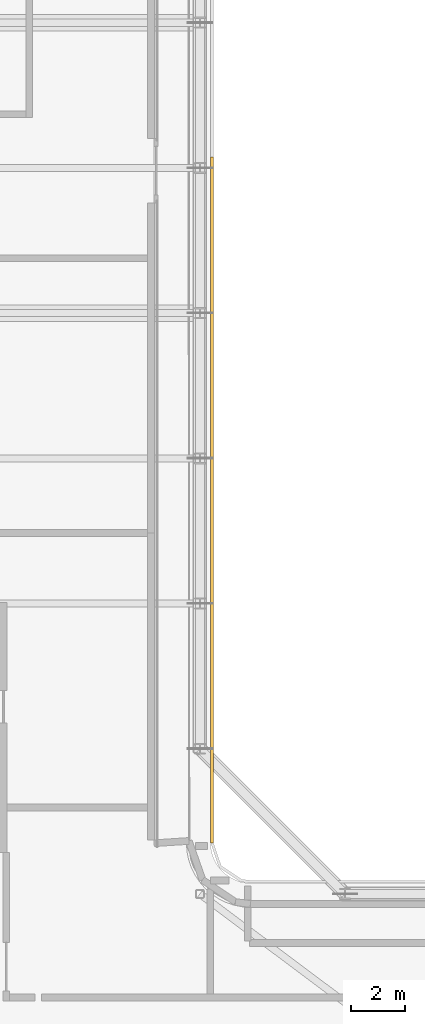
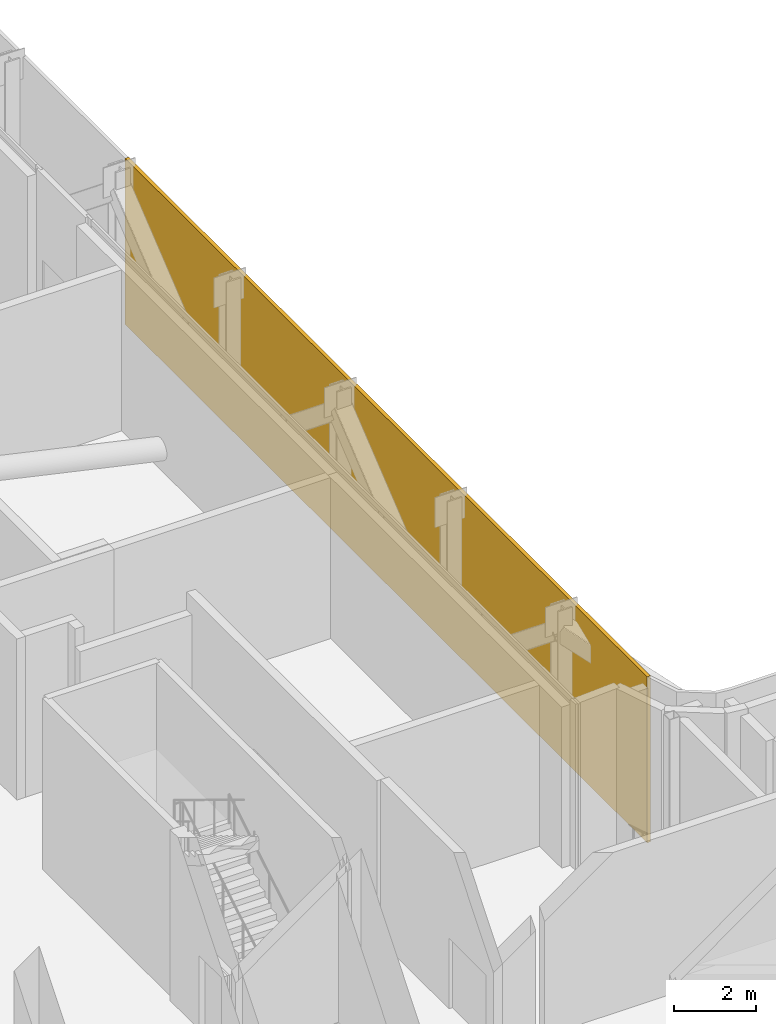
# One storey, part 21 of 23: 1 shading device.
"""IFC4 building model written with IfcOpenShell, lengths in metres."""

import ifcopenshell
import ifcopenshell.guid

model = None  # the IFC model being written
_history = None  # IfcOwnerHistory: only IFC2X3 demands one
_inside = {}  # id of a spatial element -> (the spatial element, [elements in it])
_under = {}  # id of a project, library or spatial element -> (it, [spatial elements below it])
_declared = {}  # id of a project -> (the project, [libraries it declares])
_typed = {}  # id of a type object -> (the type object, [elements of that type])
_made_of = {}  # id of a material, layer set ... -> (it, [elements and type objects made of it])


def new_model(schema):
    """Start an empty IFC model of exactly this schema.

    Asked for "IFC4X3", IfcOpenShell would pick the latest addendum, in which some entities
    have other attributes; the version numbers below select the first issue.
    IFC2X3 requires an IfcOwnerHistory on every rooted entity: one is made here for all.
    """
    global model, _history
    if schema == "IFC4X3":
        model = ifcopenshell.file(schema_version=(4, 3, 0, 0))
    else:
        model = ifcopenshell.file(schema=schema)
    _inside.clear()
    _under.clear()
    _declared.clear()
    _typed.clear()
    _made_of.clear()
    _history = None
    if model.schema == "IFC2X3":
        org = make("IfcOrganization", Name="unknown")
        user = make(
            "IfcPersonAndOrganization",
            ThePerson=make("IfcPerson", FamilyName="unknown"),
            TheOrganization=org,
        )
        app = make(
            "IfcApplication",
            ApplicationDeveloper=org,
            Version="unknown",
            ApplicationFullName="unknown",
            ApplicationIdentifier="unknown",
        )
        _history = make(
            "IfcOwnerHistory",
            OwningUser=user,
            OwningApplication=app,
            ChangeAction="ADDED",
            CreationDate=0,
        )
    return model


def make(cls, **values):
    """One entity of the class cls with the attributes given. An attribute that is None is left unset."""
    return model.create_entity(
        cls, **{name: value for name, value in values.items() if value is not None}
    )


def rooted(cls, **values):
    """An entity with a GlobalId (a new one), such as an element, a storey or a relation."""
    return make(cls, GlobalId=ifcopenshell.guid.new(), OwnerHistory=_history, **values)


def si_unit(unit_type, name, prefix=None):
    """IfcSIUnit, for example si_unit("LENGTHUNIT", "METRE", prefix="MILLI")."""
    return make("IfcSIUnit", UnitType=unit_type, Prefix=prefix, Name=name)


def assignment(units):
    """IfcUnitAssignment: the units of a project."""
    return None if units is None else make("IfcUnitAssignment", Units=units)


def point(xyz):
    """IfcCartesianPoint."""
    return None if xyz is None else make("IfcCartesianPoint", Coordinates=xyz)


def direction(xyz):
    """IfcDirection."""
    return None if xyz is None else make("IfcDirection", DirectionRatios=xyz)


def frame(location, z_axis=None, x_axis=None):
    """IfcAxis2Placement3D, a coordinate frame: its origin and axes. An axis left out is left unset."""
    return make(
        "IfcAxis2Placement3D",
        Location=point(location),
        Axis=direction(z_axis),
        RefDirection=direction(x_axis),
    )


def frame_2d(location, x_axis=None):
    """IfcAxis2Placement2D, a coordinate frame in the plane: its origin and x axis."""
    return make(
        "IfcAxis2Placement2D", Location=point(location), RefDirection=direction(x_axis)
    )


def origin():
    """The frame at (0, 0, 0) with its axes left unset."""
    return frame((0.0, 0.0, 0.0))


def origin_2d():
    """The frame at (0, 0) in the plane with its x axis left unset."""
    return frame_2d((0.0, 0.0))


def place(relative_to, where):
    """IfcLocalPlacement: puts the frame where relative to a parent placement (None: the world)."""
    return make(
        "IfcLocalPlacement", PlacementRelTo=relative_to, RelativePlacement=where
    )


def context(
    kind, dimensions, precision=None, world=None, true_north=None, identifier=None
):
    """IfcGeometricRepresentationContext, for example the 3D "Model" context."""
    return make(
        "IfcGeometricRepresentationContext",
        ContextIdentifier=identifier,
        ContextType=kind,
        CoordinateSpaceDimension=dimensions,
        Precision=precision,
        WorldCoordinateSystem=world,
        TrueNorth=true_north,
    )


def subcontext(parent, identifier, kind, view, scale=None):
    """IfcGeometricRepresentationSubContext, for example "Body" below "Model"."""
    return make(
        "IfcGeometricRepresentationSubContext",
        ContextIdentifier=identifier,
        ContextType=kind,
        ParentContext=parent,
        TargetScale=scale,
        TargetView=view,
    )


def project(units=None, contexts=None):
    """IfcProject with its units and contexts."""
    return rooted(
        "IfcProject",
        Name="project",
        RepresentationContexts=contexts,
        UnitsInContext=assignment(units),
    )


def spatial(cls, under=None, at=None, **own):
    """A site, building, storey or space (cls), placed at a placement, below another one or the project."""
    s = rooted(cls, ObjectPlacement=at, **own)
    if under is not None:
        _under.setdefault(under.id(), (under, []))[1].append(s)
    return s


def profile(cls, at=None, kind="AREA", **sizes):
    """A parametric profile (cls). Its sizes go by their IFC names, for example OverallWidth=200.0."""
    return make(cls, ProfileType=kind, Position=at, **sizes)


def rectangle(**sizes):
    """IfcRectangleProfileDef."""
    return profile("IfcRectangleProfileDef", **sizes)


def extrude(swept, where, along, depth):
    """IfcExtrudedAreaSolid: the profile swept, set in the frame where, extruded along a direction by depth."""
    return make(
        "IfcExtrudedAreaSolid",
        SweptArea=swept,
        Position=where,
        ExtrudedDirection=direction(along),
        Depth=depth,
    )


def shape(context_of_items, identifier, shape_type, items):
    """IfcShapeRepresentation: the items that make up one representation, for example the "Body"."""
    return make(
        "IfcShapeRepresentation",
        ContextOfItems=context_of_items,
        RepresentationIdentifier=identifier,
        RepresentationType=shape_type,
        Items=items,
    )


def material(Name=None, Category=None):
    """IfcMaterial."""
    return make("IfcMaterial", Name=Name, Category=Category)


def layer(
    of_material, thickness, ventilated=None, Name=None, Category=None, Priority=None
):
    """IfcMaterialLayer: one layer of a wall or slab, of a material (None: an air gap)."""
    return make(
        "IfcMaterialLayer",
        Material=of_material,
        LayerThickness=thickness,
        IsVentilated=ventilated,
        Name=Name,
        Category=Category,
        Priority=Priority,
    )


def layer_set(layers, Name=None):
    """IfcMaterialLayerSet."""
    return make("IfcMaterialLayerSet", MaterialLayers=layers, LayerSetName=Name)


def made_of(thing, what):
    """Note that an element or type object is made of a material, layer set ...; save() writes the relation."""
    if what is not None:
        _made_of.setdefault(what.id(), (what, []))[1].append(thing)
    return thing


def type_object(cls, material=None, **own):
    """A type object (cls), such as IfcWallType, which elements share."""
    return made_of(rooted(cls, **own), material)


def element(
    cls,
    number,
    at=None,
    inside=None,
    cuts=None,
    type_object=None,
    material=None,
    context=None,
    identifier="Body",
    shape_type=None,
    held_by="IfcProductDefinitionShape",
    body=None,
    shapes=None,
    **own,
):
    """One element of the class cls, such as IfcWall. Its Tag is "e" and its number.

    at: its placement. inside: the storey or other place that contains it. cuts: it is an
    opening in that element (IfcRelVoidsElement). A single representation is given by context,
    identifier, shape_type and body (its items); several are given by shapes. held_by: the class
    of the entity that holds the representations. save() writes the other relations.
    """
    e = rooted(cls, Tag="e%d" % number, ObjectPlacement=at, **own)
    if body is not None:
        shapes = [shape(context, identifier, shape_type, body)]
    if shapes is not None:
        e.Representation = make(held_by, Representations=shapes)
    if inside is not None:
        _inside.setdefault(inside.id(), (inside, []))[1].append(e)
    if cuts is not None:
        rooted(
            "IfcRelVoidsElement", RelatingBuildingElement=cuts, RelatedOpeningElement=e
        )
    if type_object is not None:
        _typed.setdefault(type_object.id(), (type_object, []))[1].append(e)
    return made_of(e, material)


def aggregate(whole, parts):
    """IfcRelAggregates: a whole, such as a stair, and the parts it consists of."""
    return rooted("IfcRelAggregates", RelatingObject=whole, RelatedObjects=parts)


def save(model, path):
    """Write the relations noted so far, then the file.

    IfcRelAggregates (storeys below a building ...), IfcRelContainedInSpatialStructure (elements
    in a storey), IfcRelDefinesByType, IfcRelAssociatesMaterial and IfcRelDeclares: one each for
    every whole, place, type object, material and project.
    """
    for whole, parts in _under.values():
        aggregate(whole, parts)
    for where, things in _inside.values():
        rooted(
            "IfcRelContainedInSpatialStructure",
            RelatedElements=things,
            RelatingStructure=where,
        )
    for kind, things in _typed.values():
        rooted("IfcRelDefinesByType", RelatedObjects=things, RelatingType=kind)
    for what, things in _made_of.values():
        rooted("IfcRelAssociatesMaterial", RelatedObjects=things, RelatingMaterial=what)
    for by, libraries in _declared.values():
        rooted("IfcRelDeclares", RelatingContext=by, RelatedDefinitions=libraries)
    model.write(path)


model = new_model("IFC4")

# Units and contexts
model_context = context("Model", 3, precision=1e-05, world=origin(), true_north=direction((0.0, 1.0)))
body_context = subcontext(model_context, "Body", "Model", "MODEL_VIEW")
ifc_project = project(units=[si_unit("LENGTHUNIT", "METRE"), si_unit("AREAUNIT", "SQUARE_METRE"), si_unit("VOLUMEUNIT", "CUBIC_METRE"), si_unit("PLANEANGLEUNIT", "RADIAN"), si_unit("MASSUNIT", "GRAM", prefix="KILO")], contexts=[model_context])

# Site, building, storey
site_placement = place(None, origin())
site = spatial("IfcSite", under=ifc_project, at=site_placement, CompositionType="ELEMENT")
building_placement = place(site_placement, origin())
building = spatial("IfcBuilding", under=site, at=building_placement, Name="Kheshtan School and Residences Tower", CompositionType="ELEMENT")
storey_placement = place(building_placement, frame((0.0, 0.0, 211.10009765625)))
storey = spatial("IfcBuildingStorey", under=building, at=storey_placement, Name="L49", CompositionType="ELEMENT", Elevation=211.10009765625)

# Shading device
ifc_material = material(Name="Terracotta louvre blades", Category="masonry")
ifc_layer = layer(ifc_material, 0.10009765625)
ifc_layer_set = layer_set([ifc_layer], Name="Plant louvre screen")
shading_device_type = type_object("IfcShadingDeviceType", Name="Plant louvre screen", PredefinedType="JALOUSIE", material=ifc_layer_set)
shading_device_placement = place(storey_placement, frame((48.050048828125, 60.25, 0.0), z_axis=(0.0, 0.0, 1.0), x_axis=(0.0, -1.0, 0.0)))
element("IfcShadingDevice", 1, at=shading_device_placement, inside=storey, type_object=shading_device_type, Name="Screen L49 3", PredefinedType="JALOUSIE", context=body_context, shape_type="SweptSolid", body=[
    extrude(rectangle(XDim=25.5, YDim=0.10009765625, at=origin_2d()), origin(), (0.0, 0.0, 1.0), 4.949951171875),
])

save(model, "model.ifc")
